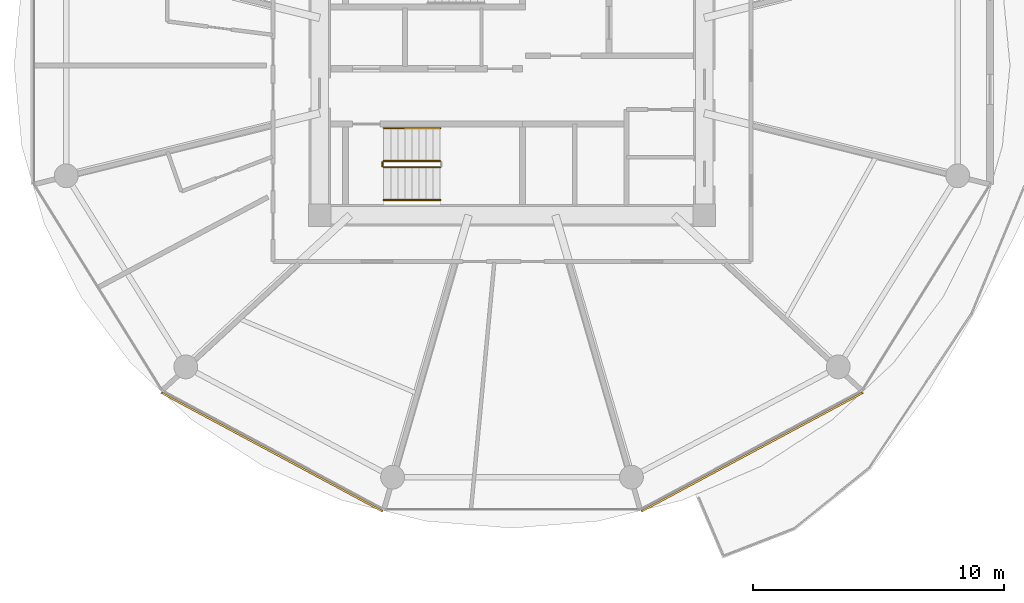
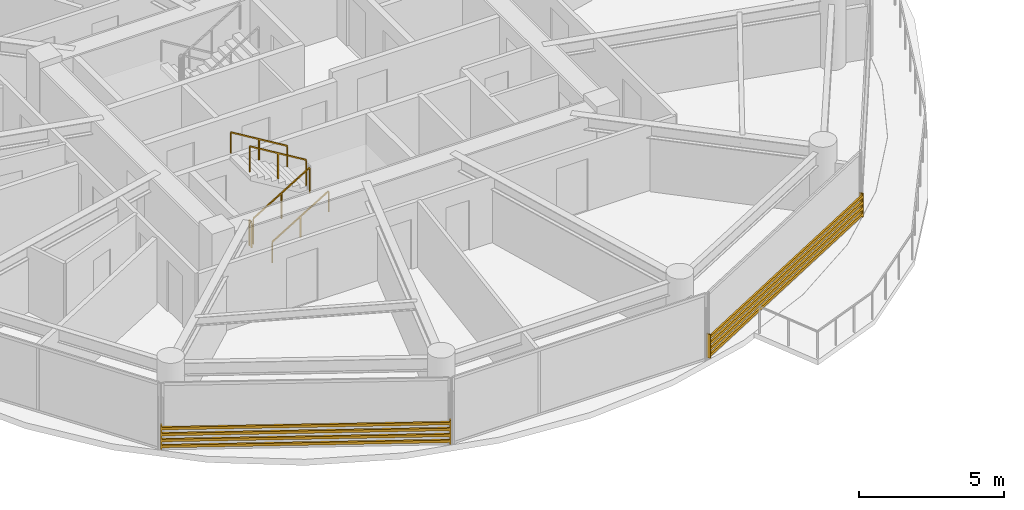
# One storey, part 22 of 27: 5 railings, 2 shading devices.
"""IFC4 building model written with IfcOpenShell, lengths in metres."""

from ifc_helpers import new_model, si_unit, direction, frame, origin, origin_2d, place, context, subcontext, project, spatial, rectangle, extrude, source, transform, mapped, material, type_object, type_shapes, element, save


model = new_model("IFC4")

# Units and contexts
model_context = context("Model", 3, precision=1e-05, world=origin(), true_north=direction((0.0, 1.0)))
body_context = subcontext(model_context, "Body", "Model", "MODEL_VIEW")
ifc_project = project(units=[si_unit("LENGTHUNIT", "METRE"), si_unit("AREAUNIT", "SQUARE_METRE"), si_unit("VOLUMEUNIT", "CUBIC_METRE"), si_unit("PLANEANGLEUNIT", "RADIAN"), si_unit("MASSUNIT", "GRAM", prefix="KILO")], contexts=[model_context])

# Site, building, storey
site_placement = place(None, origin())
site = spatial("IfcSite", under=ifc_project, at=site_placement, CompositionType="ELEMENT")
building_placement = place(site_placement, origin())
building = spatial("IfcBuilding", under=site, at=building_placement, Name="Norrkilde Senior Care Towers", CompositionType="ELEMENT")
storey_placement = place(building_placement, frame((0.0, 0.0, 58.199951171875)))
storey = spatial("IfcBuildingStorey", under=building, at=storey_placement, Name="L17", CompositionType="ELEMENT", Elevation=58.199951171875)

# Railings
ifc_material_1 = material(Name="Stainless Steel", Category="steel")
railing_type_1 = type_object("IfcRailingType", Name="Stair and Terrace Guardrail 1100", PredefinedType="GUARDRAIL", material=ifc_material_1)
railing_1_placement = place(storey_placement, frame((-33.10009765625, -4.050048828125, 0.16943359375)))
element("IfcRailing", 1, at=railing_1_placement, inside=storey, type_object=railing_type_1, Name="L17 ST-W2 stair guard 1", PredefinedType="GUARDRAIL", context=body_context, shape_type="SweptSolid", body=[
    extrude(rectangle(XDim=0.048095703125, YDim=0.048095703125, at=origin_2d()), frame((0.0, 0.0, 1.076171875), z_axis=(0.855512035549, 0.0, 0.517782924622), x_axis=(0.0, 1.0, 0.0)), (0.0, 0.0, 1.0), 2.618408203125),
    extrude(rectangle(XDim=0.0419921875, YDim=0.0419921875, at=origin_2d()), origin(), (0.0, 0.0, 1.0), 1.050048828125),
    extrude(rectangle(XDim=0.0419921875, YDim=0.0419921875, at=origin_2d()), frame((1.1201171875, 0.0, 0.677734375)), (0.0, 0.0, 1.0), 1.050048828125),
    extrude(rectangle(XDim=0.0419921875, YDim=0.0419921875, at=origin_2d()), frame((2.239990234375, 0.0, 1.355712890625)), (0.0, 0.0, 1.0), 1.050048828125),
])
railing_2_placement = place(storey_placement, frame((-30.860107421875, -3.800048828125, 1.694580078125)))
element("IfcRailing", 2, at=railing_2_placement, inside=storey, type_object=railing_type_1, Name="L17 ST-W2 stair guard 3", PredefinedType="GUARDRAIL", context=body_context, shape_type="SweptSolid", body=[
    extrude(rectangle(XDim=0.048095703125, YDim=0.048095703125, at=origin_2d()), frame((0.0, 0.0, 1.076171875), z_axis=(-0.855553338991, 0.0, 0.51771467445), x_axis=(0.0, -1.0, 0.0)), (0.0, 0.0, 1.0), 2.6181640625),
    extrude(rectangle(XDim=0.0419921875, YDim=0.0419921875, at=origin_2d()), origin(), (0.0, 0.0, 1.0), 1.050048828125),
    extrude(rectangle(XDim=0.0419921875, YDim=0.0419921875, at=origin_2d()), frame((-1.1201171875, 0.0, 0.677734375)), (0.0, 0.0, 1.0), 1.050048828125),
    extrude(rectangle(XDim=0.0419921875, YDim=0.0419921875, at=origin_2d()), frame((-2.239990234375, 0.0, 1.35546875)), (0.0, 0.0, 1.0), 1.050048828125),
])
railing_3_placement = place(storey_placement, frame((-33.14990234375, -4.0, 0.0)))
element("IfcRailing", 3, at=railing_3_placement, inside=storey, type_object=railing_type_1, Name="L17 ST-W2 stair guard 4", PredefinedType="GUARDRAIL", context=body_context, shape_type="SweptSolid", body=[
    extrude(rectangle(XDim=0.048095703125, YDim=0.048095703125, at=origin_2d()), frame((0.0, 0.0, 1.076171875), z_axis=(0.0, 1.0, 0.0), x_axis=(-1.0, 0.0, 0.0)), (0.0, 0.0, 1.0), 0.14990234375),
    extrude(rectangle(XDim=0.0419921875, YDim=0.0419921875, at=origin_2d()), origin(), (0.0, 0.0, 1.0), 1.050048828125),
    extrude(rectangle(XDim=0.0419921875, YDim=0.0419921875, at=origin_2d()), frame((0.0, 0.14990234375, 0.0)), (0.0, 0.0, 1.0), 1.050048828125),
])
ifc_material_2 = material(Name="Nordic Ash Timber", Category="wood")
railing_type_2 = type_object("IfcRailingType", Name="Wall and Stair Handrail 900", PredefinedType="HANDRAIL", material=ifc_material_2)
railing_4_placement = place(storey_placement, frame((-33.10009765625, -5.35009765625, 0.16943359375)))
element("IfcRailing", 4, at=railing_4_placement, inside=storey, type_object=railing_type_2, Name="L17 ST-W2 stair handrail 1", PredefinedType="HANDRAIL", context=body_context, shape_type="SweptSolid", body=[
    extrude(rectangle(XDim=0.048095703125, YDim=0.048095703125, at=origin_2d()), frame((0.0, 0.0, 0.8759765625), z_axis=(0.855512035549, 0.0, 0.517782924622), x_axis=(0.0, 1.0, 0.0)), (0.0, 0.0, 1.0), 2.618408203125),
    extrude(rectangle(XDim=0.0419921875, YDim=0.0419921875, at=origin_2d()), origin(), (0.0, 0.0, 1.0), 0.849853515625),
    extrude(rectangle(XDim=0.0419921875, YDim=0.0419921875, at=origin_2d()), frame((1.1201171875, 0.0, 0.677734375)), (0.0, 0.0, 1.0), 0.849853515625),
    extrude(rectangle(XDim=0.0419921875, YDim=0.0419921875, at=origin_2d()), frame((2.239990234375, 0.0, 1.355712890625)), (0.0, 0.0, 1.0), 0.849853515625),
])
railing_5_placement = place(storey_placement, frame((-30.860107421875, -2.5, 1.694580078125)))
element("IfcRailing", 5, at=railing_5_placement, inside=storey, type_object=railing_type_2, Name="L17 ST-W2 stair handrail 2", PredefinedType="HANDRAIL", context=body_context, shape_type="SweptSolid", body=[
    extrude(rectangle(XDim=0.048095703125, YDim=0.048095703125, at=origin_2d()), frame((0.0, 0.0, 0.8759765625), z_axis=(-0.855553338991, 0.0, 0.51771467445), x_axis=(0.0, -1.0, 0.0)), (0.0, 0.0, 1.0), 2.6181640625),
    extrude(rectangle(XDim=0.0419921875, YDim=0.0419921875, at=origin_2d()), origin(), (0.0, 0.0, 1.0), 0.849853515625),
    extrude(rectangle(XDim=0.0419921875, YDim=0.0419921875, at=origin_2d()), frame((-1.1201171875, 0.0, 0.677734375)), (0.0, 0.0, 1.0), 0.849853515625),
    extrude(rectangle(XDim=0.0419921875, YDim=0.0419921875, at=origin_2d()), frame((-2.239990234375, 0.0, 1.35546875)), (0.0, 0.0, 1.0), 0.849853515625),
])

# Shading devices
ifc_material_3 = material(Name="Architectural Terracotta", Category="masonry")
shading_device_type = type_object("IfcShadingDeviceType", Name="Horizontal Terracotta Baguette Rack", PredefinedType="USERDEFINED", material=ifc_material_3)
shared_shape = source(origin(), body_context, "Body", "SweptSolid", [
    extrude(rectangle(XDim=0.070068359375, YDim=0.110107421875, at=origin_2d()), frame((0.0, 0.090087890625, 0.125), z_axis=(1.0, 0.0, 0.0), x_axis=(0.0, 1.0, 0.0)), (0.0, 0.0, 1.0), 10.0107421875),
    extrude(rectangle(XDim=0.070068359375, YDim=0.110107421875, at=origin_2d()), frame((0.0, 0.090087890625, 0.375), z_axis=(1.0, 0.0, 0.0), x_axis=(0.0, 1.0, 0.0)), (0.0, 0.0, 1.0), 10.0107421875),
    extrude(rectangle(XDim=0.070068359375, YDim=0.110107421875, at=origin_2d()), frame((0.0, 0.090087890625, 0.625), z_axis=(1.0, 0.0, 0.0), x_axis=(0.0, 1.0, 0.0)), (0.0, 0.0, 1.0), 10.0107421875),
    extrude(rectangle(XDim=0.070068359375, YDim=0.110107421875, at=origin_2d()), frame((0.0, 0.090087890625, 0.875), z_axis=(1.0, 0.0, 0.0), x_axis=(0.0, 1.0, 0.0)), (0.0, 0.0, 1.0), 10.0107421875),
    extrude(rectangle(XDim=0.050048828125, YDim=0.1552734375, at=origin_2d()), frame((0.02490234375, 0.047607421875, 0.0)), (0.0, 0.0, 1.0), 1.0),
    extrude(rectangle(XDim=0.050048828125, YDim=0.1552734375, at=origin_2d()), frame((9.98583984375, 0.047607421875, 0.0)), (0.0, 0.0, 1.0), 1.0),
])
type_shapes(shading_device_type, [shared_shape])
for number, where, z_axis, x_axis, name in (
    (6, (-33.093505859375, -17.6572265625, 0.080078125), (0.0, 0.0, 1.0), (-0.881279875134, 0.472612428056, 0.0), "L17 Drum W Terracotta Baguette Screen 07"),
    (7, (-14.084228515625, -12.926025390625, 0.080078125), (0.0, 0.0, 1.0), (-0.881279875134, -0.472612428056, 0.0), "L17 Drum W Terracotta Baguette Screen 09"),
):
    element("IfcShadingDevice", number, at=place(storey_placement, frame(where, z_axis=z_axis, x_axis=x_axis)), inside=storey, type_object=shading_device_type, Name=name, ObjectType="BAGUETTE", PredefinedType="USERDEFINED", context=body_context, shape_type="MappedRepresentation", body=[
        mapped(shared_shape, transform((0.0, 0.0, 0.0), x_axis=(1.0, 0.0, 0.0), y_axis=(0.0, 1.0, 0.0), z_axis=(0.0, 0.0, 1.0), scale=1.0)),
    ])

save(model, "model.ifc")
